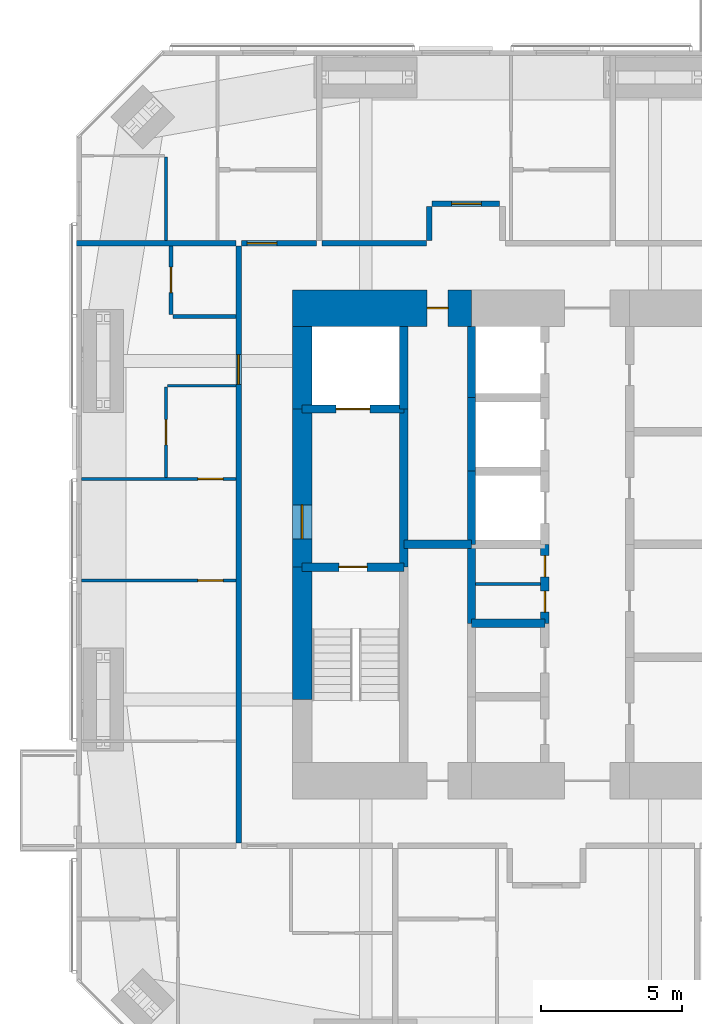
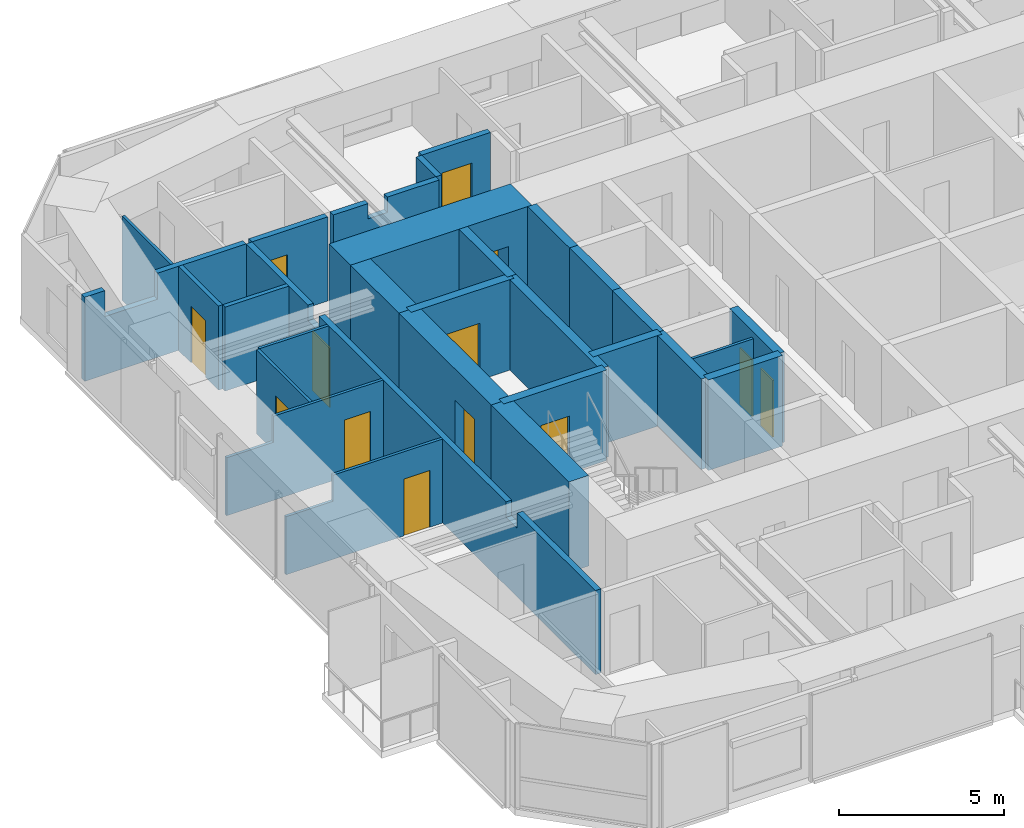
# One storey, part 18 of 23: 29 walls, 13 doors, 13 openings.
"""IFC4 building model written with IfcOpenShell, lengths in metres."""

from ifc_helpers import new_model, si_unit, direction, frame, frame_2d, origin, place, context, subcontext, project, spatial, polyline, rectangle, outline, extrude, material, layer, layer_set, constituent, constituent_set, type_object, element, fill, save


model = new_model("IFC4")

# Units and contexts
model_context = context("Model", 3, precision=1e-05, world=origin(), true_north=direction((0.0, 1.0)))
body_context = subcontext(model_context, "Body", "Model", "MODEL_VIEW")
ifc_project = project(units=[si_unit("LENGTHUNIT", "METRE"), si_unit("AREAUNIT", "SQUARE_METRE"), si_unit("VOLUMEUNIT", "CUBIC_METRE"), si_unit("PLANEANGLEUNIT", "RADIAN"), si_unit("MASSUNIT", "GRAM", prefix="KILO")], contexts=[model_context])

# Site, building, storey
site_placement = place(None, origin())
site = spatial("IfcSite", under=ifc_project, at=site_placement, CompositionType="ELEMENT")
building_placement = place(site_placement, origin())
building = spatial("IfcBuilding", under=site, at=building_placement, Name="Jalousie Tower", CompositionType="ELEMENT")
storey_placement = place(building_placement, frame((0.0, 0.0, 184.5)))
storey = spatial("IfcBuildingStorey", under=building, at=storey_placement, Name="L50", CompositionType="ELEMENT", Elevation=184.5)

# Wall, opening, door
ifc_material_1 = material(Name="Concrete block ASTM C90", Category="concrete")
ifc_constituent_1 = constituent(ifc_material_1, Name="Body")
ifc_material_2 = material(Name="Render")
ifc_constituent_2 = constituent(ifc_material_2, Name="Finish")
ifc_constituent_set_1 = constituent_set(constituents=[ifc_constituent_1, ifc_constituent_2])
wall_type_1 = type_object("IfcWallType", Name="BATHROOM WALL 150", PredefinedType="PLUMBINGWALL", material=ifc_constituent_set_1)
wall_1_placement = place(storey_placement, frame((15.35009765625, 26.64990234375, 0.0), z_axis=(0.0, 0.0, 1.0), x_axis=(0.0, 1.0, 0.0)))
wall_1 = element("IfcWall", 1, at=wall_1_placement, inside=storey, type_object=wall_type_1, Name="Bathroom Wall 150 L50", PredefinedType="PLUMBINGWALL", context=body_context, shape_type="SweptSolid", body=[
    extrude(rectangle(XDim=2.425048828125, YDim=0.14990234375, at=frame_2d((1.21240234375, 0.0))), origin(), (0.0, 0.0, 1.0), 3.110107421875),
])
opening_1_placement = place(wall_1_placement, frame((0.77490234375, 0.0, 0.0)))
opening_1 = element("IfcOpeningElement", 2, at=opening_1_placement, cuts=wall_1, Name="Opening D3", PredefinedType="OPENING", context=body_context, shape_type="SweptSolid", body=[
    extrude(rectangle(XDim=0.89990234375, YDim=2.10009765625, at=frame_2d((0.449951171875, 1.050048828125))), frame((0.0, 0.0849609375, 0.0), z_axis=(0.0, -1.0, 0.0), x_axis=(1.0, 0.0, 0.0)), (0.0, 0.0, 1.0), 0.169921875),
])
ifc_material_3 = material(Name="Timber door", Category="wood")
door_type_1 = type_object("IfcDoorType", Name="BATHROOM DOOR 900", OperationType="SINGLE_SWING_LEFT", PredefinedType="DOOR", material=ifc_material_3)
door_1_placement = place(opening_1_placement, frame((0.89990234375, 0.0, 0.0), z_axis=(0.0, 0.0, 1.0), x_axis=(-1.0, 0.0, 0.0)))
door_1 = element("IfcDoor", 3, at=door_1_placement, inside=storey, type_object=door_type_1, Name="Apartment 5008 bathroom door", OperationType="SINGLE_SWING_LEFT", OverallHeight=2.10009765625, OverallWidth=0.89990234375, PredefinedType="DOOR", context=body_context, shape_type="SweptSolid", body=[
    extrude(rectangle(XDim=0.89990234375, YDim=2.10009765625, at=frame_2d((0.449951171875, 1.050048828125))), frame((0.0, 0.02490234375, 0.0), z_axis=(0.0, -1.0, 0.0), x_axis=(1.0, 0.0, 0.0)), (0.0, 0.0, 1.0), 0.050048828125),
])
fill(opening_1, door_1)

# Wall
wall_2_placement = place(storey_placement, frame((15.425048828125, 26.574951171875, 0.0), z_axis=(0.0, 0.0, 1.0), x_axis=(1.0, 0.0, 0.0)))
element("IfcWall", 4, at=wall_2_placement, inside=storey, type_object=wall_type_1, Name="Bathroom Wall 150 L50", PredefinedType="PLUMBINGWALL", context=body_context, shape_type="SweptSolid", body=[
    extrude(rectangle(XDim=2.224853515625, YDim=0.14990234375, at=frame_2d((1.1123046875, 0.0))), origin(), (0.0, 0.0, 1.0), 3.110107421875),
])

# Wall, opening, door
ifc_material_4 = material(Name="Concrete f'c 120 MPa", Category="concrete")
ifc_layer_1 = layer(ifc_material_4, 1.300048828125)
ifc_layer_set_1 = layer_set([ifc_layer_1], Name="Concrete f'c 120 MPa")
wall_type_2 = type_object("IfcWallType", Name="CORE WALL 1300", PredefinedType="SHEAR", material=ifc_layer_set_1)
wall_3_placement = place(storey_placement, frame((26.0, 26.875, 0.0), z_axis=(0.0, 0.0, 1.0), x_axis=(-1.0, 0.0, 0.0)))
wall_3 = element("IfcWall", 5, at=wall_3_placement, inside=storey, type_object=wall_type_2, Name="Core wall ND L50", PredefinedType="SHEAR", context=body_context, shape_type="SweptSolid", body=[
    extrude(rectangle(XDim=6.35009765625, YDim=1.300048828125, at=frame_2d((3.175048828125, 0.0))), origin(), (0.0, 0.0, 1.0), 3.35009765625),
])
opening_2_placement = place(wall_3_placement, frame((0.824951171875, 0.0, 0.0)))
opening_2 = element("IfcOpeningElement", 6, at=opening_2_placement, cuts=wall_3, Name="Opening D16", PredefinedType="OPENING", context=body_context, shape_type="SweptSolid", body=[
    extrude(rectangle(XDim=0.75, YDim=2.10009765625, at=frame_2d((0.375, 1.050048828125))), frame((0.0, 0.659912109375, 0.0), z_axis=(0.0, -1.0, 0.0), x_axis=(1.0, 0.0, 0.0)), (0.0, 0.0, 1.0), 1.320068359375),
])
ifc_material_5 = material(Name="Steel fire door", Category="steel")
door_type_2 = type_object("IfcDoorType", Name="RISER DOOR 750", OperationType="SINGLE_SWING_LEFT", PredefinedType="DOOR", material=ifc_material_5)
door_2_placement = place(opening_2_placement, origin())
door_2 = element("IfcDoor", 7, at=door_2_placement, inside=storey, type_object=door_type_2, Name="North riser door", OperationType="SINGLE_SWING_RIGHT", OverallHeight=2.10009765625, OverallWidth=0.75, PredefinedType="DOOR", context=body_context, shape_type="SweptSolid", body=[
    extrude(rectangle(XDim=0.75, YDim=2.10009765625, at=frame_2d((0.375, 1.050048828125))), frame((0.0, 0.02490234375, 0.0), z_axis=(0.0, -1.0, 0.0), x_axis=(1.0, 0.0, 0.0)), (0.0, 0.0, 1.0), 0.050048828125),
])
fill(opening_2, door_2)

# Walls
ifc_material_6 = material(Name="Concrete f'c 120 MPa", Category="concrete")
ifc_layer_2 = layer(ifc_material_6, 0.300048828125)
ifc_layer_set_2 = layer_set([ifc_layer_2], Name="Concrete f'c 120 MPa")
wall_type_3 = type_object("IfcWallType", Name="CORE WALL 300", PredefinedType="SHEAR", material=ifc_layer_set_2)
wall_4_placement = place(storey_placement, frame((23.60009765625, 17.699951171875, 0.0), z_axis=(0.0, 0.0, 1.0), x_axis=(0.0, 1.0, 0.0)))
element("IfcWall", 8, at=wall_4_placement, inside=storey, type_object=wall_type_3, Name="Core wall X23.6B L50", PredefinedType="SHEAR", context=body_context, shape_type="SweptSolid", body=[
    extrude(rectangle(XDim=5.60009765625, YDim=0.300048828125, at=frame_2d((2.800048828125, 0.0))), origin(), (0.0, 0.0, 1.0), 3.35009765625),
])
wall_5_placement = place(storey_placement, frame((23.60009765625, 23.300048828125, 0.0), z_axis=(0.0, 0.0, 1.0), x_axis=(0.0, 1.0, 0.0)))
element("IfcWall", 9, at=wall_5_placement, inside=storey, type_object=wall_type_3, Name="Core wall X23.6C L50", PredefinedType="SHEAR", context=body_context, shape_type="SweptSolid", body=[
    extrude(rectangle(XDim=2.925048828125, YDim=0.300048828125, at=frame_2d((1.46240234375, 0.0))), origin(), (0.0, 0.0, 1.0), 3.35009765625),
])
wall_6_placement = place(storey_placement, frame((26.0, 15.699951171875, 0.0), z_axis=(0.0, 0.0, 1.0), x_axis=(0.0, 1.0, 0.0)))
element("IfcWall", 10, at=wall_6_placement, inside=storey, type_object=wall_type_3, Name="Core wall X26C L50", PredefinedType="SHEAR", context=body_context, shape_type="SweptSolid", body=[
    extrude(rectangle(XDim=2.800048828125, YDim=0.300048828125, at=frame_2d((1.39990234375, 0.0))), origin(), (0.0, 0.0, 1.0), 3.35009765625),
])
wall_7_placement = place(storey_placement, frame((26.0, 18.5, 0.0), z_axis=(0.0, 0.0, 1.0), x_axis=(0.0, 1.0, 0.0)))
element("IfcWall", 11, at=wall_7_placement, inside=storey, type_object=wall_type_3, Name="Core wall X26D L50", PredefinedType="SHEAR", context=body_context, shape_type="SweptSolid", body=[
    extrude(rectangle(XDim=2.60009765625, YDim=0.300048828125, at=frame_2d((1.300048828125, 0.0))), origin(), (0.0, 0.0, 1.0), 3.35009765625),
])
wall_8_placement = place(storey_placement, frame((26.0, 21.10009765625, 0.0), z_axis=(0.0, 0.0, 1.0), x_axis=(0.0, 1.0, 0.0)))
element("IfcWall", 12, at=wall_8_placement, inside=storey, type_object=wall_type_3, Name="Core wall X26E L50", PredefinedType="SHEAR", context=body_context, shape_type="SweptSolid", body=[
    extrude(rectangle(XDim=2.599853515625, YDim=0.300048828125, at=frame_2d((1.2998046875, 0.0))), origin(), (0.0, 0.0, 1.0), 3.35009765625),
])
wall_9_placement = place(storey_placement, frame((26.0, 23.699951171875, 0.0), z_axis=(0.0, 0.0, 1.0), x_axis=(0.0, 1.0, 0.0)))
element("IfcWall", 13, at=wall_9_placement, inside=storey, type_object=wall_type_3, Name="Core wall X26F L50", PredefinedType="SHEAR", context=body_context, shape_type="SweptSolid", body=[
    extrude(rectangle(XDim=2.525146484375, YDim=0.300048828125, at=frame_2d((1.2626953125, 0.0))), origin(), (0.0, 0.0, 1.0), 3.35009765625),
])

# Wall, openings, doors
wall_10_placement = place(storey_placement, frame((28.60009765625, 15.699951171875, 0.0), z_axis=(0.0, 0.0, 1.0), x_axis=(0.0, 1.0, 0.0)))
wall_10 = element("IfcWall", 14, at=wall_10_placement, inside=storey, type_object=wall_type_3, Name="Core wall X28.6C L50", PredefinedType="SHEAR", context=body_context, shape_type="SweptSolid", body=[
    extrude(rectangle(XDim=2.800048828125, YDim=0.300048828125, at=frame_2d((1.39990234375, 0.0))), origin(), (0.0, 0.0, 1.0), 3.35009765625),
])
opening_3_placement = place(wall_10_placement, frame((0.39990234375, 0.0, 0.0)))
opening_3 = element("IfcOpeningElement", 15, at=opening_3_placement, cuts=wall_10, Name="Opening D27", PredefinedType="OPENING", context=body_context, shape_type="SweptSolid", body=[
    extrude(rectangle(XDim=0.75, YDim=2.10009765625, at=frame_2d((0.375, 1.050048828125))), frame((0.0, 0.159912109375, 0.0), z_axis=(0.0, -1.0, 0.0), x_axis=(1.0, 0.0, 0.0)), (0.0, 0.0, 1.0), 0.320068359375),
])
opening_4_placement = place(wall_10_placement, frame((1.64990234375, 0.0, 0.0)))
opening_4 = element("IfcOpeningElement", 16, at=opening_4_placement, cuts=wall_10, Name="Opening D27", PredefinedType="OPENING", context=body_context, shape_type="SweptSolid", body=[
    extrude(rectangle(XDim=0.75, YDim=2.10009765625, at=frame_2d((0.375, 1.050048828125))), frame((0.0, 0.159912109375, 0.0), z_axis=(0.0, -1.0, 0.0), x_axis=(1.0, 0.0, 0.0)), (0.0, 0.0, 1.0), 0.320068359375),
])
ifc_material_7 = material(Name="Steel fire door", Category="steel")
door_type_3 = type_object("IfcDoorType", Name="CORE ROOM DOOR 750", OperationType="SINGLE_SWING_LEFT", PredefinedType="DOOR", material=ifc_material_7)
door_3_placement = place(opening_3_placement, origin())
door_3 = element("IfcDoor", 17, at=door_3_placement, inside=storey, type_object=door_type_3, Name="Staff WC door", OperationType="SINGLE_SWING_RIGHT", OverallHeight=2.10009765625, OverallWidth=0.75, PredefinedType="DOOR", context=body_context, shape_type="SweptSolid", body=[
    extrude(rectangle(XDim=0.75, YDim=2.10009765625, at=frame_2d((0.375, 1.050048828125))), frame((0.0, 0.02490234375, 0.0), z_axis=(0.0, -1.0, 0.0), x_axis=(1.0, 0.0, 0.0)), (0.0, 0.0, 1.0), 0.050048828125),
])
fill(opening_3, door_3)
door_4_placement = place(opening_4_placement, origin())
door_4 = element("IfcDoor", 18, at=door_4_placement, inside=storey, type_object=door_type_3, Name="Cleaner's store door", OperationType="SINGLE_SWING_LEFT", OverallHeight=2.10009765625, OverallWidth=0.75, PredefinedType="DOOR", context=body_context, shape_type="SweptSolid", body=[
    extrude(rectangle(XDim=0.75, YDim=2.10009765625, at=frame_2d((0.375, 1.050048828125))), frame((0.0, 0.02490234375, 0.0), z_axis=(0.0, -1.0, 0.0), x_axis=(1.0, 0.0, 0.0)), (0.0, 0.0, 1.0), 0.050048828125),
])
fill(opening_4, door_4)

# Wall, opening, door
wall_11_placement = place(storey_placement, frame((20.0, 17.699951171875, 0.0), z_axis=(0.0, 0.0, 1.0), x_axis=(1.0, 0.0, 0.0)))
wall_11 = element("IfcWall", 19, at=wall_11_placement, inside=storey, type_object=wall_type_3, Name="Core wall Y20-17.7 L50", PredefinedType="SHEAR", context=body_context, shape_type="SweptSolid", body=[
    extrude(rectangle(XDim=3.60009765625, YDim=0.300048828125, at=frame_2d((1.800048828125, 0.0))), origin(), (0.0, 0.0, 1.0), 3.35009765625),
])
opening_5_placement = place(wall_11_placement, frame((1.300048828125, 0.0, 0.0)))
opening_5 = element("IfcOpeningElement", 20, at=opening_5_placement, cuts=wall_11, Name="Opening D10", PredefinedType="OPENING", context=body_context, shape_type="SweptSolid", body=[
    extrude(rectangle(XDim=1.0, YDim=2.10009765625, at=frame_2d((0.5, 1.050048828125))), frame((0.0, 0.159912109375, 0.0), z_axis=(0.0, -1.0, 0.0), x_axis=(1.0, 0.0, 0.0)), (0.0, 0.0, 1.0), 0.320068359375),
])
ifc_material_8 = material(Name="Steel fire door", Category="steel")
door_type_4 = type_object("IfcDoorType", Name="STAIR DOOR 1000", OperationType="SINGLE_SWING_LEFT", PredefinedType="DOOR", material=ifc_material_8)
door_5_placement = place(opening_5_placement, frame((1.0, 0.0, 0.0), z_axis=(0.0, 0.0, 1.0), x_axis=(-1.0, 0.0, 0.0)))
door_5 = element("IfcDoor", 21, at=door_5_placement, inside=storey, type_object=door_type_4, Name="Exit stair A door", OperationType="SINGLE_SWING_RIGHT", OverallHeight=2.10009765625, OverallWidth=1.0, PredefinedType="DOOR", context=body_context, shape_type="SweptSolid", body=[
    extrude(rectangle(XDim=1.0, YDim=2.10009765625, at=frame_2d((0.5, 1.050048828125))), frame((0.0, 0.02490234375, 0.0), z_axis=(0.0, -1.0, 0.0), x_axis=(1.0, 0.0, 0.0)), (0.0, 0.0, 1.0), 0.050048828125),
])
fill(opening_5, door_5)

wall_12_placement = place(storey_placement, frame((20.0, 23.300048828125, 0.0), z_axis=(0.0, 0.0, 1.0), x_axis=(1.0, 0.0, 0.0)))
wall_12 = element("IfcWall", 22, at=wall_12_placement, inside=storey, type_object=wall_type_3, Name="Core wall Y20-23.3 L50", PredefinedType="SHEAR", context=body_context, shape_type="SweptSolid", body=[
    extrude(rectangle(XDim=3.60009765625, YDim=0.300048828125, at=frame_2d((1.800048828125, 0.0))), origin(), (0.0, 0.0, 1.0), 3.35009765625),
])
opening_6_placement = place(wall_12_placement, frame((1.199951171875, 0.0, 0.0)))
opening_6 = element("IfcOpeningElement", 23, at=opening_6_placement, cuts=wall_12, Name="Opening LD2", PredefinedType="OPENING", context=body_context, shape_type="SweptSolid", body=[
    extrude(rectangle(XDim=1.199951171875, YDim=2.10009765625, at=frame_2d((0.60009765625, 1.050048828125))), frame((0.0, 0.159912109375, 0.0), z_axis=(0.0, -1.0, 0.0), x_axis=(1.0, 0.0, 0.0)), (0.0, 0.0, 1.0), 0.320068359375),
])
ifc_material_9 = material(Name="Steel lift landing door", Category="steel")
door_type_5 = type_object("IfcDoorType", Name="LIFT LANDING DOOR 1200", OperationType="SLIDING_TO_LEFT", PredefinedType="DOOR", material=ifc_material_9)
door_6_placement = place(opening_6_placement, origin())
door_6 = element("IfcDoor", 24, at=door_6_placement, inside=storey, type_object=door_type_5, Name="Lift F1 landing door", OperationType="SLIDING_TO_LEFT", OverallHeight=2.10009765625, OverallWidth=1.199951171875, PredefinedType="DOOR", context=body_context, shape_type="SweptSolid", body=[
    extrude(rectangle(XDim=1.199951171875, YDim=2.10009765625, at=frame_2d((0.60009765625, 1.050048828125))), frame((0.0, 0.02490234375, 0.0), z_axis=(0.0, -1.0, 0.0), x_axis=(1.0, 0.0, 0.0)), (0.0, 0.0, 1.0), 0.050048828125),
])
fill(opening_6, door_6)

# Walls
wall_13_placement = place(storey_placement, frame((23.60009765625, 18.5, 0.0), z_axis=(0.0, 0.0, 1.0), x_axis=(1.0, 0.0, 0.0)))
element("IfcWall", 25, at=wall_13_placement, inside=storey, type_object=wall_type_3, Name="Core wall Y23.6-18.5 L50", PredefinedType="SHEAR", context=body_context, shape_type="SweptSolid", body=[
    extrude(rectangle(XDim=2.39990234375, YDim=0.300048828125, at=frame_2d((1.199951171875, 0.0))), origin(), (0.0, 0.0, 1.0), 3.35009765625),
])
wall_14_placement = place(storey_placement, frame((26.0, 15.699951171875, 0.0), z_axis=(0.0, 0.0, 1.0), x_axis=(1.0, 0.0, 0.0)))
element("IfcWall", 26, at=wall_14_placement, inside=storey, type_object=wall_type_3, Name="Core wall Y26-15.7 L50", PredefinedType="SHEAR", context=body_context, shape_type="SweptSolid", body=[
    extrude(rectangle(XDim=2.60009765625, YDim=0.300048828125, at=frame_2d((1.300048828125, 0.0))), origin(), (0.0, 0.0, 1.0), 3.35009765625),
])
ifc_material_10 = material(Name="Concrete f'c 120 MPa", Category="concrete")
ifc_layer_3 = layer(ifc_material_10, 0.699951171875)
ifc_layer_set_3 = layer_set([ifc_layer_3], Name="Concrete f'c 120 MPa")
wall_type_4 = type_object("IfcWallType", Name="CORE WALL 700", PredefinedType="SHEAR", material=ifc_layer_set_3)
wall_15_placement = place(storey_placement, frame((20.0, 26.22509765625, 0.0), z_axis=(0.0, 0.0, 1.0), x_axis=(0.0, -1.0, 0.0)))
element("IfcWall", 27, at=wall_15_placement, inside=storey, type_object=wall_type_4, Name="Core wall WA L50", PredefinedType="SHEAR", context=body_context, shape_type="SweptSolid", body=[
    extrude(rectangle(XDim=2.925048828125, YDim=0.699951171875, at=frame_2d((1.46240234375, 0.0))), origin(), (0.0, 0.0, 1.0), 3.35009765625),
])

# Wall, opening, door
wall_16_placement = place(storey_placement, frame((20.0, 23.300048828125, 0.0), z_axis=(0.0, 0.0, 1.0), x_axis=(0.0, -1.0, 0.0)))
wall_16 = element("IfcWall", 28, at=wall_16_placement, inside=storey, type_object=wall_type_4, Name="Core wall WB L50", PredefinedType="SHEAR", context=body_context, shape_type="SweptSolid", body=[
    extrude(rectangle(XDim=5.60009765625, YDim=0.699951171875, at=frame_2d((2.800048828125, 0.0))), origin(), (0.0, 0.0, 1.0), 3.35009765625),
])
opening_7_placement = place(wall_16_placement, frame((3.39990234375, 0.0, 0.0)))
opening_7 = element("IfcOpeningElement", 29, at=opening_7_placement, cuts=wall_16, Name="Opening D11", PredefinedType="OPENING", context=body_context, shape_type="SweptSolid", body=[
    extrude(rectangle(XDim=1.199951171875, YDim=2.199951171875, at=frame_2d((0.60009765625, 1.10009765625))), frame((0.0, 0.35986328125, 0.0), z_axis=(0.0, -1.0, 0.0), x_axis=(1.0, 0.0, 0.0)), (0.0, 0.0, 1.0), 0.719970703125),
])
ifc_material_11 = material(Name="Steel fire door", Category="steel")
door_type_6 = type_object("IfcDoorType", Name="FIRE DOOR 1200", OperationType="SINGLE_SWING_LEFT", PredefinedType="DOOR", material=ifc_material_11)
door_7_placement = place(opening_7_placement, origin())
door_7 = element("IfcDoor", 30, at=door_7_placement, inside=storey, type_object=door_type_6, Name="Fire-fighting lobby A door", OperationType="SINGLE_SWING_RIGHT", OverallHeight=2.199951171875, OverallWidth=1.199951171875, PredefinedType="DOOR", context=body_context, shape_type="SweptSolid", body=[
    extrude(rectangle(XDim=1.199951171875, YDim=2.199951171875, at=frame_2d((0.60009765625, 1.10009765625))), frame((0.0, 0.02490234375, 0.0), z_axis=(0.0, -1.0, 0.0), x_axis=(1.0, 0.0, 0.0)), (0.0, 0.0, 1.0), 0.050048828125),
])
fill(opening_7, door_7)

# Wall
wall_17_placement = place(storey_placement, frame((20.0, 17.699951171875, 0.0), z_axis=(0.0, 0.0, 1.0), x_axis=(0.0, -1.0, 0.0)))
element("IfcWall", 31, at=wall_17_placement, inside=storey, type_object=wall_type_4, Name="Core wall WC L50", PredefinedType="SHEAR", context=body_context, shape_type="SweptSolid", body=[
    extrude(rectangle(XDim=4.699951171875, YDim=0.699951171875, at=frame_2d((2.35009765625, 0.0))), origin(), (0.0, 0.0, 1.0), 3.35009765625),
])

# Wall, opening, door
ifc_material_12 = material(Name="Concrete block ASTM C90", Category="concrete")
ifc_constituent_3 = constituent(ifc_material_12, Name="Body")
ifc_material_13 = material(Name="Render")
ifc_constituent_4 = constituent(ifc_material_13, Name="Finish")
ifc_constituent_set_2 = constituent_set(constituents=[ifc_constituent_3, ifc_constituent_4])
wall_type_5 = type_object("IfcWallType", Name="CORRIDOR WALL 200", PredefinedType="PARTITIONING", material=ifc_constituent_set_2)
wall_18_placement = place(storey_placement, frame((17.85009765625, 29.175048828125, 0.0), z_axis=(0.0, 0.0, 1.0), x_axis=(1.0, 0.0, 0.0)))
wall_18 = element("IfcWall", 32, at=wall_18_placement, inside=storey, type_object=wall_type_5, Name="Corridor Wall 200 L50", PredefinedType="PARTITIONING", context=body_context, shape_type="SweptSolid", body=[
    extrude(rectangle(XDim=2.64990234375, YDim=0.199951171875, at=frame_2d((1.324951171875, 0.0))), origin(), (0.0, 0.0, 1.0), 3.110107421875),
])
opening_8_placement = place(wall_18_placement, frame((0.199951171875, 0.0, 0.0)))
opening_8 = element("IfcOpeningElement", 33, at=opening_8_placement, cuts=wall_18, Name="Opening D1", PredefinedType="OPENING", context=body_context, shape_type="SweptSolid", body=[
    extrude(rectangle(XDim=1.050048828125, YDim=2.199951171875, at=frame_2d((0.52490234375, 1.10009765625))), frame((0.0, 0.10986328125, 0.0), z_axis=(0.0, -1.0, 0.0), x_axis=(1.0, 0.0, 0.0)), (0.0, 0.0, 1.0), 0.219970703125),
])
ifc_material_14 = material(Name="Timber fire door", Category="wood")
door_type_7 = type_object("IfcDoorType", Name="APARTMENT ENTRANCE DOOR 1050", OperationType="SINGLE_SWING_LEFT", PredefinedType="DOOR", material=ifc_material_14)
door_8_placement = place(opening_8_placement, origin())
door_8 = element("IfcDoor", 34, at=door_8_placement, inside=storey, type_object=door_type_7, Name="Apartment 5004 entrance", OperationType="SINGLE_SWING_LEFT", OverallHeight=2.199951171875, OverallWidth=1.050048828125, PredefinedType="DOOR", context=body_context, shape_type="SweptSolid", body=[
    extrude(rectangle(XDim=1.050048828125, YDim=2.199951171875, at=frame_2d((0.52490234375, 1.10009765625))), frame((0.0, 0.02490234375, 0.0), z_axis=(0.0, -1.0, 0.0), x_axis=(1.0, 0.0, 0.0)), (0.0, 0.0, 1.0), 0.050048828125),
])
fill(opening_8, door_8)

# Wall
wall_19_placement = place(storey_placement, frame((20.699951171875, 29.175048828125, 0.0), z_axis=(0.0, 0.0, 1.0), x_axis=(1.0, 0.0, 0.0)))
element("IfcWall", 35, at=wall_19_placement, inside=storey, type_object=wall_type_5, Name="Corridor Wall 200 L50", PredefinedType="PARTITIONING", context=body_context, shape_type="SweptSolid", body=[
    extrude(outline(polyline([(0.0, 0.0), (3.699951171875, 0.0), (3.699951171875, 3.110107421875), (1.88720703125, 3.110107421875), (1.88720703125, 2.541015625), (1.212646484375, 2.541015625), (1.212646484375, 3.110107421875), (0.0, 3.110107421875), (0.0, 0.0)])), frame((0.0, 0.10009765625, 0.0), z_axis=(0.0, -1.0, 0.0), x_axis=(1.0, 0.0, 0.0)), (0.0, 0.0, 1.0), 0.199951171875),
])

# Wall, opening, door
wall_20_placement = place(storey_placement, frame((17.75, 7.925048828125, 0.0), z_axis=(0.0, 0.0, 1.0), x_axis=(0.0, 1.0, 0.0)))
wall_20 = element("IfcWall", 36, at=wall_20_placement, inside=storey, type_object=wall_type_5, Name="Corridor Wall 200 L50", PredefinedType="PARTITIONING", context=body_context, shape_type="SweptSolid", body=[
    extrude(outline(polyline([(0.0, 0.0), (21.14990234375, 0.0), (21.14990234375, 3.110107421875), (17.412353515625, 3.110107421875), (17.412353515625, 2.541015625), (16.737548828125, 2.541015625), (16.737548828125, 3.110107421875), (5.412353515625, 3.110107421875), (5.412353515625, 2.541015625), (4.73779296875, 2.541015625), (4.73779296875, 3.110107421875), (0.0, 3.110107421875), (0.0, 0.0)])), frame((0.0, 0.10009765625, 0.0), z_axis=(0.0, -1.0, 0.0), x_axis=(1.0, 0.0, 0.0)), (0.0, 0.0, 1.0), 0.199951171875),
])
opening_9_placement = place(wall_20_placement, frame((16.25, 0.0, 0.0)))
opening_9 = element("IfcOpeningElement", 37, at=opening_9_placement, cuts=wall_20, Name="Opening D1", PredefinedType="OPENING", context=body_context, shape_type="SweptSolid", body=[
    extrude(rectangle(XDim=1.050048828125, YDim=2.199951171875, at=frame_2d((0.52490234375, 1.10009765625))), frame((0.0, 0.10986328125, 0.0), z_axis=(0.0, -1.0, 0.0), x_axis=(1.0, 0.0, 0.0)), (0.0, 0.0, 1.0), 0.219970703125),
])
door_9_placement = place(opening_9_placement, origin())
door_9 = element("IfcDoor", 38, at=door_9_placement, inside=storey, type_object=door_type_7, Name="Apartment 5008 entrance", OperationType="SINGLE_SWING_LEFT", OverallHeight=2.199951171875, OverallWidth=1.050048828125, PredefinedType="DOOR", context=body_context, shape_type="SweptSolid", body=[
    extrude(rectangle(XDim=1.050048828125, YDim=2.199951171875, at=frame_2d((0.52490234375, 1.10009765625))), frame((0.0, 0.02490234375, 0.0), z_axis=(0.0, -1.0, 0.0), x_axis=(1.0, 0.0, 0.0)), (0.0, 0.0, 1.0), 0.050048828125),
])
fill(opening_9, door_9)

wall_21_placement = place(storey_placement, frame((24.60009765625, 30.574951171875, 0.0), z_axis=(0.0, 0.0, 1.0), x_axis=(1.0, 0.0, 0.0)))
wall_21 = element("IfcWall", 39, at=wall_21_placement, inside=storey, type_object=wall_type_5, Name="Corridor Wall 200 L50", PredefinedType="PARTITIONING", context=body_context, shape_type="SweptSolid", body=[
    extrude(rectangle(XDim=2.39990234375, YDim=0.199951171875, at=frame_2d((1.199951171875, 0.0))), origin(), (0.0, 0.0, 1.0), 3.110107421875),
])
opening_10_placement = place(wall_21_placement, frame((0.699951171875, 0.0, 0.0)))
opening_10 = element("IfcOpeningElement", 40, at=opening_10_placement, cuts=wall_21, Name="Opening D1", PredefinedType="OPENING", context=body_context, shape_type="SweptSolid", body=[
    extrude(rectangle(XDim=1.050048828125, YDim=2.199951171875, at=frame_2d((0.52490234375, 1.10009765625))), frame((0.0, 0.10986328125, 0.0), z_axis=(0.0, -1.0, 0.0), x_axis=(1.0, 0.0, 0.0)), (0.0, 0.0, 1.0), 0.219970703125),
])
door_10_placement = place(opening_10_placement, origin())
door_10 = element("IfcDoor", 41, at=door_10_placement, inside=storey, type_object=door_type_7, Name="Apartment 5005 entrance", OperationType="SINGLE_SWING_RIGHT", OverallHeight=2.199951171875, OverallWidth=1.050048828125, PredefinedType="DOOR", context=body_context, shape_type="SweptSolid", body=[
    extrude(rectangle(XDim=1.050048828125, YDim=2.199951171875, at=frame_2d((0.52490234375, 1.10009765625))), frame((0.0, 0.02490234375, 0.0), z_axis=(0.0, -1.0, 0.0), x_axis=(1.0, 0.0, 0.0)), (0.0, 0.0, 1.0), 0.050048828125),
])
fill(opening_10, door_10)

# Walls
wall_22_placement = place(storey_placement, frame((24.5, 29.27490234375, 0.0), z_axis=(0.0, 0.0, 1.0), x_axis=(0.0, 1.0, 0.0)))
element("IfcWall", 42, at=wall_22_placement, inside=storey, type_object=wall_type_5, Name="Corridor Wall 200 L50", PredefinedType="PARTITIONING", context=body_context, shape_type="SweptSolid", body=[
    extrude(rectangle(XDim=1.2001953125, YDim=0.199951171875, at=frame_2d((0.60009765625, 0.0))), origin(), (0.0, 0.0, 1.0), 3.110107421875),
])
ifc_material_15 = material(Name="Gypsum board", Category="gypsum")
ifc_constituent_5 = constituent(ifc_material_15, Name="Body")
ifc_material_16 = material(Name="Light-gauge steel studs ASTM A653 SS Grade 33", Category="steel")
ifc_constituent_6 = constituent(ifc_material_16, Name="Framing")
ifc_constituent_set_3 = constituent_set(constituents=[ifc_constituent_5, ifc_constituent_6])
wall_type_6 = type_object("IfcWallType", Name="PARTITION 100", PredefinedType="PARTITIONING", material=ifc_constituent_set_3)
wall_23_placement = place(storey_placement, frame((15.175048828125, 32.22509765625, 0.0), z_axis=(0.0, 0.0, 1.0), x_axis=(0.0, -1.0, 0.0)))
element("IfcWall", 43, at=wall_23_placement, inside=storey, type_object=wall_type_6, Name="Partition 100 L50", PredefinedType="PARTITIONING", context=body_context, shape_type="SweptSolid", body=[
    extrude(rectangle(XDim=2.9501953125, YDim=0.10009765625, at=frame_2d((1.47509765625, 0.0))), origin(), (0.0, 0.0, 1.0), 3.110107421875),
])

# Wall, opening, door
wall_24_placement = place(storey_placement, frame((12.175048828125, 17.22509765625, 0.0), z_axis=(0.0, 0.0, 1.0), x_axis=(1.0, 0.0, 0.0)))
wall_24 = element("IfcWall", 44, at=wall_24_placement, inside=storey, type_object=wall_type_6, Name="Partition 100 L50", PredefinedType="PARTITIONING", context=body_context, shape_type="SweptSolid", body=[
    extrude(outline(polyline([(0.0, 0.0), (5.474853515625, 0.0), (5.47509765625, 3.110107421875), (1.635009765625, 3.110107421875), (1.635009765625, 2.14990234375), (0.0, 2.14990234375), (0.0, 3.110107421875), (0.0, 0.0)])), frame((0.0, 0.050048828125, 0.0), z_axis=(0.0, -1.0, 0.0), x_axis=(1.0, 0.0, 0.0)), (0.0, 0.0, 1.0), 0.10009765625),
])
opening_11_placement = place(wall_24_placement, frame((4.125, 0.0, 0.0)))
opening_11 = element("IfcOpeningElement", 45, at=opening_11_placement, cuts=wall_24, Name="Opening D2", PredefinedType="OPENING", context=body_context, shape_type="SweptSolid", body=[
    extrude(rectangle(XDim=0.89990234375, YDim=2.10009765625, at=frame_2d((0.449951171875, 1.050048828125))), frame((0.0, 0.06005859375, 0.0), z_axis=(0.0, -1.0, 0.0), x_axis=(1.0, 0.0, 0.0)), (0.0, 0.0, 1.0), 0.1201171875),
])
ifc_material_17 = material(Name="Timber door", Category="wood")
door_type_8 = type_object("IfcDoorType", Name="BEDROOM DOOR 900", OperationType="SINGLE_SWING_LEFT", PredefinedType="DOOR", material=ifc_material_17)
door_11_placement = place(opening_11_placement, frame((0.89990234375, 0.0, 0.0), z_axis=(0.0, 0.0, 1.0), x_axis=(-1.0, 0.0, 0.0)))
door_11 = element("IfcDoor", 46, at=door_11_placement, inside=storey, type_object=door_type_8, Name="Apartment 5008 bedroom 2 door", OperationType="SINGLE_SWING_LEFT", OverallHeight=2.10009765625, OverallWidth=0.89990234375, PredefinedType="DOOR", context=body_context, shape_type="SweptSolid", body=[
    extrude(rectangle(XDim=0.89990234375, YDim=2.10009765625, at=frame_2d((0.449951171875, 1.050048828125))), frame((0.0, 0.02490234375, 0.0), z_axis=(0.0, -1.0, 0.0), x_axis=(1.0, 0.0, 0.0)), (0.0, 0.0, 1.0), 0.050048828125),
])
fill(opening_11, door_11)

wall_25_placement = place(storey_placement, frame((12.175048828125, 20.824951171875, 0.0), z_axis=(0.0, 0.0, 1.0), x_axis=(1.0, 0.0, 0.0)))
wall_25 = element("IfcWall", 47, at=wall_25_placement, inside=storey, type_object=wall_type_6, Name="Partition 100 L50", PredefinedType="PARTITIONING", context=body_context, shape_type="SweptSolid", body=[
    extrude(outline(polyline([(0.0, 0.0), (5.474853515625, 0.0), (5.47509765625, 3.110107421875), (1.635009765625, 3.110107421875), (1.635009765625, 2.14990234375), (0.0, 2.14990234375), (0.0, 3.110107421875), (0.0, 0.0)])), frame((0.0, 0.050048828125, 0.0), z_axis=(0.0, -1.0, 0.0), x_axis=(1.0, 0.0, 0.0)), (0.0, 0.0, 1.0), 0.10009765625),
])
opening_12_placement = place(wall_25_placement, frame((4.125, 0.0, 0.0)))
opening_12 = element("IfcOpeningElement", 48, at=opening_12_placement, cuts=wall_25, Name="Opening D2", PredefinedType="OPENING", context=body_context, shape_type="SweptSolid", body=[
    extrude(rectangle(XDim=0.89990234375, YDim=2.10009765625, at=frame_2d((0.449951171875, 1.050048828125))), frame((0.0, 0.06005859375, 0.0), z_axis=(0.0, -1.0, 0.0), x_axis=(1.0, 0.0, 0.0)), (0.0, 0.0, 1.0), 0.1201171875),
])
door_12_placement = place(opening_12_placement, frame((0.89990234375, 0.0, 0.0), z_axis=(0.0, 0.0, 1.0), x_axis=(-1.0, 0.0, 0.0)))
door_12 = element("IfcDoor", 49, at=door_12_placement, inside=storey, type_object=door_type_8, Name="Apartment 5008 bedroom 3 door", OperationType="SINGLE_SWING_LEFT", OverallHeight=2.10009765625, OverallWidth=0.89990234375, PredefinedType="DOOR", context=body_context, shape_type="SweptSolid", body=[
    extrude(rectangle(XDim=0.89990234375, YDim=2.10009765625, at=frame_2d((0.449951171875, 1.050048828125))), frame((0.0, 0.02490234375, 0.0), z_axis=(0.0, -1.0, 0.0), x_axis=(1.0, 0.0, 0.0)), (0.0, 0.0, 1.0), 0.050048828125),
])
fill(opening_12, door_12)

wall_26_placement = place(storey_placement, frame((15.175048828125, 20.875, 0.0), z_axis=(0.0, 0.0, 1.0), x_axis=(0.0, 1.0, 0.0)))
wall_26 = element("IfcWall", 50, at=wall_26_placement, inside=storey, type_object=wall_type_6, Name="Partition 100 L50", PredefinedType="PARTITIONING", context=body_context, shape_type="SweptSolid", body=[
    extrude(rectangle(XDim=3.199951171875, YDim=0.10009765625, at=frame_2d((1.60009765625, 0.0))), origin(), (0.0, 0.0, 1.0), 3.110107421875),
])
opening_13_placement = place(wall_26_placement, frame((1.14990234375, 0.0, 0.0)))
opening_13 = element("IfcOpeningElement", 51, at=opening_13_placement, cuts=wall_26, Name="Opening D7", PredefinedType="OPENING", context=body_context, shape_type="SweptSolid", body=[
    extrude(rectangle(XDim=0.89990234375, YDim=2.10009765625, at=frame_2d((0.449951171875, 1.050048828125))), frame((0.0, 0.06005859375, 0.0), z_axis=(0.0, -1.0, 0.0), x_axis=(1.0, 0.0, 0.0)), (0.0, 0.0, 1.0), 0.1201171875),
])
ifc_material_18 = material(Name="Timber door", Category="wood")
door_type_9 = type_object("IfcDoorType", Name="INTERNAL DOOR 900", OperationType="SINGLE_SWING_LEFT", PredefinedType="DOOR", material=ifc_material_18)
door_13_placement = place(opening_13_placement, origin())
door_13 = element("IfcDoor", 52, at=door_13_placement, inside=storey, type_object=door_type_9, Name="Apartment 5008 kitchen door", OperationType="SINGLE_SWING_LEFT", OverallHeight=2.10009765625, OverallWidth=0.89990234375, PredefinedType="DOOR", context=body_context, shape_type="SweptSolid", body=[
    extrude(rectangle(XDim=0.89990234375, YDim=2.10009765625, at=frame_2d((0.449951171875, 1.050048828125))), frame((0.0, 0.02490234375, 0.0), z_axis=(0.0, -1.0, 0.0), x_axis=(1.0, 0.0, 0.0)), (0.0, 0.0, 1.0), 0.050048828125),
])
fill(opening_13, door_13)

# Walls
wall_27_placement = place(storey_placement, frame((15.22509765625, 24.125, 0.0), z_axis=(0.0, 0.0, 1.0), x_axis=(1.0, 0.0, 0.0)))
element("IfcWall", 53, at=wall_27_placement, inside=storey, type_object=wall_type_6, Name="Partition 100 L50", PredefinedType="PARTITIONING", context=body_context, shape_type="SweptSolid", body=[
    extrude(rectangle(XDim=2.4248046875, YDim=0.10009765625, at=frame_2d((1.21240234375, 0.0))), origin(), (0.0, 0.0, 1.0), 3.110107421875),
])
wall_28_placement = place(storey_placement, frame((26.14990234375, 17.10009765625, 0.0), z_axis=(0.0, 0.0, 1.0), x_axis=(1.0, 0.0, 0.0)))
element("IfcWall", 54, at=wall_28_placement, inside=storey, type_object=wall_type_6, Name="Partition 100 L50", PredefinedType="PARTITIONING", context=body_context, shape_type="SweptSolid", body=[
    extrude(rectangle(XDim=2.300048828125, YDim=0.10009765625, at=frame_2d((1.14990234375, 0.0))), origin(), (0.0, 0.0, 1.0), 3.110107421875),
])
ifc_material_19 = material(Name="Concrete block ASTM C90", Category="concrete")
ifc_constituent_7 = constituent(ifc_material_19, Name="Body")
ifc_material_20 = material(Name="Render")
ifc_constituent_8 = constituent(ifc_material_20, Name="Finish")
ifc_constituent_set_4 = constituent_set(constituents=[ifc_constituent_7, ifc_constituent_8])
wall_type_7 = type_object("IfcWallType", Name="PARTY WALL 200", PredefinedType="PARTITIONING", material=ifc_constituent_set_4)
wall_29_placement = place(storey_placement, frame((12.0, 29.175048828125, 0.0), z_axis=(0.0, 0.0, 1.0), x_axis=(1.0, 0.0, 0.0)))
element("IfcWall", 55, at=wall_29_placement, inside=storey, type_object=wall_type_7, Name="Party Wall 200 L50", PredefinedType="PARTITIONING", context=body_context, shape_type="SweptSolid", body=[
    extrude(outline(polyline([(0.0, 0.0), (5.64990234375, 0.0), (5.64990234375, 3.110107421875), (2.546630859375, 3.110107421875), (2.546630859375, 2.14990234375), (0.703125, 2.14990234375), (0.703125, 3.110107421875), (0.0, 3.110107421875), (0.0, 0.0)])), frame((0.0, 0.10009765625, 0.0), z_axis=(0.0, -1.0, 0.0), x_axis=(1.0, 0.0, 0.0)), (0.0, 0.0, 1.0), 0.199951171875),
])

save(model, "model.ifc")
